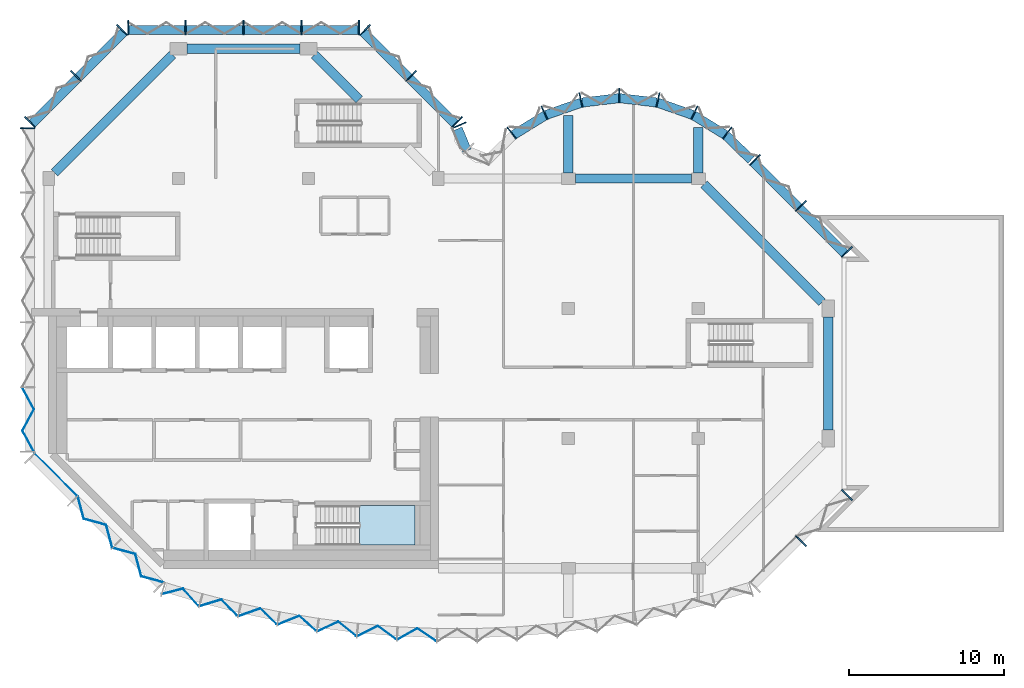
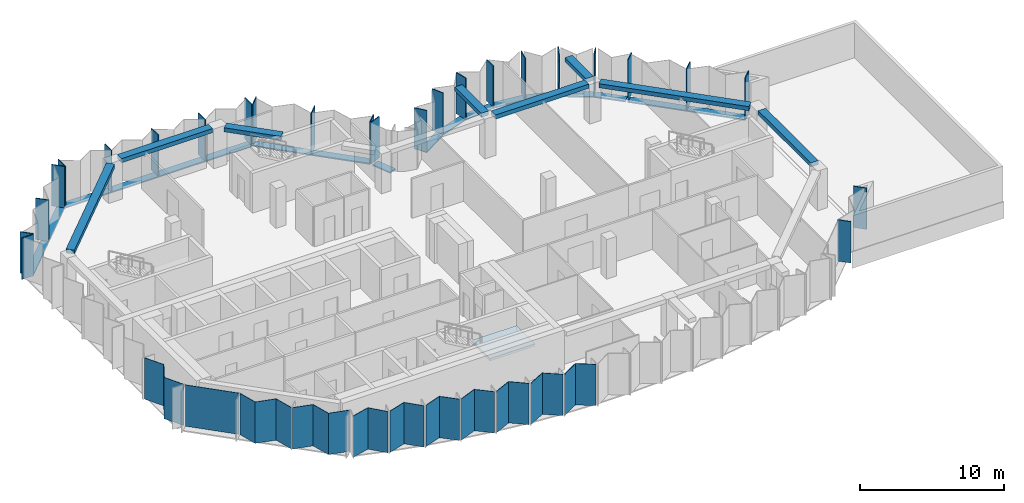
# One storey, part 2 of 9: 37 members, 11 plates, 8 beams, 1 slab, 11 elements without a shape of their own.
"""IFC4 building model written with IfcOpenShell, lengths in metres."""

import ifcopenshell
import ifcopenshell.guid

model = None  # the IFC model being written
_history = None  # IfcOwnerHistory: only IFC2X3 demands one
_inside = {}  # id of a spatial element -> (the spatial element, [elements in it])
_under = {}  # id of a project, library or spatial element -> (it, [spatial elements below it])
_declared = {}  # id of a project -> (the project, [libraries it declares])
_typed = {}  # id of a type object -> (the type object, [elements of that type])
_made_of = {}  # id of a material, layer set ... -> (it, [elements and type objects made of it])


def new_model(schema):
    """Start an empty IFC model of exactly this schema.

    Asked for "IFC4X3", IfcOpenShell would pick the latest addendum, in which some entities
    have other attributes; the version numbers below select the first issue.
    IFC2X3 requires an IfcOwnerHistory on every rooted entity: one is made here for all.
    """
    global model, _history
    if schema == "IFC4X3":
        model = ifcopenshell.file(schema_version=(4, 3, 0, 0))
    else:
        model = ifcopenshell.file(schema=schema)
    _inside.clear()
    _under.clear()
    _declared.clear()
    _typed.clear()
    _made_of.clear()
    _history = None
    if model.schema == "IFC2X3":
        org = make("IfcOrganization", Name="unknown")
        user = make(
            "IfcPersonAndOrganization",
            ThePerson=make("IfcPerson", FamilyName="unknown"),
            TheOrganization=org,
        )
        app = make(
            "IfcApplication",
            ApplicationDeveloper=org,
            Version="unknown",
            ApplicationFullName="unknown",
            ApplicationIdentifier="unknown",
        )
        _history = make(
            "IfcOwnerHistory",
            OwningUser=user,
            OwningApplication=app,
            ChangeAction="ADDED",
            CreationDate=0,
        )
    return model


def make(cls, **values):
    """One entity of the class cls with the attributes given. An attribute that is None is left unset."""
    return model.create_entity(
        cls, **{name: value for name, value in values.items() if value is not None}
    )


def rooted(cls, **values):
    """An entity with a GlobalId (a new one), such as an element, a storey or a relation."""
    return make(cls, GlobalId=ifcopenshell.guid.new(), OwnerHistory=_history, **values)


def si_unit(unit_type, name, prefix=None):
    """IfcSIUnit, for example si_unit("LENGTHUNIT", "METRE", prefix="MILLI")."""
    return make("IfcSIUnit", UnitType=unit_type, Prefix=prefix, Name=name)


def assignment(units):
    """IfcUnitAssignment: the units of a project."""
    return None if units is None else make("IfcUnitAssignment", Units=units)


def point(xyz):
    """IfcCartesianPoint."""
    return None if xyz is None else make("IfcCartesianPoint", Coordinates=xyz)


def direction(xyz):
    """IfcDirection."""
    return None if xyz is None else make("IfcDirection", DirectionRatios=xyz)


def frame(location, z_axis=None, x_axis=None):
    """IfcAxis2Placement3D, a coordinate frame: its origin and axes. An axis left out is left unset."""
    return make(
        "IfcAxis2Placement3D",
        Location=point(location),
        Axis=direction(z_axis),
        RefDirection=direction(x_axis),
    )


def frame_2d(location, x_axis=None):
    """IfcAxis2Placement2D, a coordinate frame in the plane: its origin and x axis."""
    return make(
        "IfcAxis2Placement2D", Location=point(location), RefDirection=direction(x_axis)
    )


def origin():
    """The frame at (0, 0, 0) with its axes left unset."""
    return frame((0.0, 0.0, 0.0))


def origin_2d():
    """The frame at (0, 0) in the plane with its x axis left unset."""
    return frame_2d((0.0, 0.0))


def place(relative_to, where):
    """IfcLocalPlacement: puts the frame where relative to a parent placement (None: the world)."""
    return make(
        "IfcLocalPlacement", PlacementRelTo=relative_to, RelativePlacement=where
    )


def context(
    kind, dimensions, precision=None, world=None, true_north=None, identifier=None
):
    """IfcGeometricRepresentationContext, for example the 3D "Model" context."""
    return make(
        "IfcGeometricRepresentationContext",
        ContextIdentifier=identifier,
        ContextType=kind,
        CoordinateSpaceDimension=dimensions,
        Precision=precision,
        WorldCoordinateSystem=world,
        TrueNorth=true_north,
    )


def subcontext(parent, identifier, kind, view, scale=None):
    """IfcGeometricRepresentationSubContext, for example "Body" below "Model"."""
    return make(
        "IfcGeometricRepresentationSubContext",
        ContextIdentifier=identifier,
        ContextType=kind,
        ParentContext=parent,
        TargetScale=scale,
        TargetView=view,
    )


def project(units=None, contexts=None):
    """IfcProject with its units and contexts."""
    return rooted(
        "IfcProject",
        Name="project",
        RepresentationContexts=contexts,
        UnitsInContext=assignment(units),
    )


def spatial(cls, under=None, at=None, **own):
    """A site, building, storey or space (cls), placed at a placement, below another one or the project."""
    s = rooted(cls, ObjectPlacement=at, **own)
    if under is not None:
        _under.setdefault(under.id(), (under, []))[1].append(s)
    return s


def polyline(points):
    """IfcPolyline through the points."""
    return make("IfcPolyline", Points=[point(p) for p in points])


def profile(cls, at=None, kind="AREA", **sizes):
    """A parametric profile (cls). Its sizes go by their IFC names, for example OverallWidth=200.0."""
    return make(cls, ProfileType=kind, Position=at, **sizes)


def rectangle(**sizes):
    """IfcRectangleProfileDef."""
    return profile("IfcRectangleProfileDef", **sizes)


def outline(outer, holes=None, kind="AREA"):
    """IfcArbitraryClosedProfileDef: a profile drawn as a closed curve; with holes, ...WithVoids."""
    if holes is None:
        return make("IfcArbitraryClosedProfileDef", ProfileType=kind, OuterCurve=outer)
    return make(
        "IfcArbitraryProfileDefWithVoids",
        ProfileType=kind,
        OuterCurve=outer,
        InnerCurves=holes,
    )


def extrude(swept, where, along, depth):
    """IfcExtrudedAreaSolid: the profile swept, set in the frame where, extruded along a direction by depth."""
    return make(
        "IfcExtrudedAreaSolid",
        SweptArea=swept,
        Position=where,
        ExtrudedDirection=direction(along),
        Depth=depth,
    )


def shape(context_of_items, identifier, shape_type, items):
    """IfcShapeRepresentation: the items that make up one representation, for example the "Body"."""
    return make(
        "IfcShapeRepresentation",
        ContextOfItems=context_of_items,
        RepresentationIdentifier=identifier,
        RepresentationType=shape_type,
        Items=items,
    )


def material(Name=None, Category=None):
    """IfcMaterial."""
    return make("IfcMaterial", Name=Name, Category=Category)


def layer(
    of_material, thickness, ventilated=None, Name=None, Category=None, Priority=None
):
    """IfcMaterialLayer: one layer of a wall or slab, of a material (None: an air gap)."""
    return make(
        "IfcMaterialLayer",
        Material=of_material,
        LayerThickness=thickness,
        IsVentilated=ventilated,
        Name=Name,
        Category=Category,
        Priority=Priority,
    )


def layer_set(layers, Name=None):
    """IfcMaterialLayerSet."""
    return make("IfcMaterialLayerSet", MaterialLayers=layers, LayerSetName=Name)


def material_profile(
    of_material, cross_section, Name=None, Category=None, Priority=None
):
    """IfcMaterialProfile: a cross section and its material."""
    return make(
        "IfcMaterialProfile",
        Name=Name,
        Material=of_material,
        Profile=cross_section,
        Priority=Priority,
        Category=Category,
    )


def profile_set(profiles, Name=None, composite=None):
    """IfcMaterialProfileSet."""
    return make(
        "IfcMaterialProfileSet",
        Name=Name,
        MaterialProfiles=profiles,
        CompositeProfile=composite,
    )


def made_of(thing, what):
    """Note that an element or type object is made of a material, layer set ...; save() writes the relation."""
    if what is not None:
        _made_of.setdefault(what.id(), (what, []))[1].append(thing)
    return thing


def type_object(cls, material=None, **own):
    """A type object (cls), such as IfcWallType, which elements share."""
    return made_of(rooted(cls, **own), material)


def element(
    cls,
    number,
    at=None,
    inside=None,
    cuts=None,
    type_object=None,
    material=None,
    context=None,
    identifier="Body",
    shape_type=None,
    held_by="IfcProductDefinitionShape",
    body=None,
    shapes=None,
    **own,
):
    """One element of the class cls, such as IfcWall. Its Tag is "e" and its number.

    at: its placement. inside: the storey or other place that contains it. cuts: it is an
    opening in that element (IfcRelVoidsElement). A single representation is given by context,
    identifier, shape_type and body (its items); several are given by shapes. held_by: the class
    of the entity that holds the representations. save() writes the other relations.
    """
    e = rooted(cls, Tag="e%d" % number, ObjectPlacement=at, **own)
    if body is not None:
        shapes = [shape(context, identifier, shape_type, body)]
    if shapes is not None:
        e.Representation = make(held_by, Representations=shapes)
    if inside is not None:
        _inside.setdefault(inside.id(), (inside, []))[1].append(e)
    if cuts is not None:
        rooted(
            "IfcRelVoidsElement", RelatingBuildingElement=cuts, RelatedOpeningElement=e
        )
    if type_object is not None:
        _typed.setdefault(type_object.id(), (type_object, []))[1].append(e)
    return made_of(e, material)


def aggregate(whole, parts):
    """IfcRelAggregates: a whole, such as a stair, and the parts it consists of."""
    return rooted("IfcRelAggregates", RelatingObject=whole, RelatedObjects=parts)


def save(model, path):
    """Write the relations noted so far, then the file.

    IfcRelAggregates (storeys below a building ...), IfcRelContainedInSpatialStructure (elements
    in a storey), IfcRelDefinesByType, IfcRelAssociatesMaterial and IfcRelDeclares: one each for
    every whole, place, type object, material and project.
    """
    for whole, parts in _under.values():
        aggregate(whole, parts)
    for where, things in _inside.values():
        rooted(
            "IfcRelContainedInSpatialStructure",
            RelatedElements=things,
            RelatingStructure=where,
        )
    for kind, things in _typed.values():
        rooted("IfcRelDefinesByType", RelatedObjects=things, RelatingType=kind)
    for what, things in _made_of.values():
        rooted("IfcRelAssociatesMaterial", RelatedObjects=things, RelatingMaterial=what)
    for by, libraries in _declared.values():
        rooted("IfcRelDeclares", RelatingContext=by, RelatedDefinitions=libraries)
    model.write(path)


model = new_model("IFC4")

# Units and contexts
model_context = context("Model", 3, precision=1e-05, world=origin(), true_north=direction((0.0, 1.0)))
body_context = subcontext(model_context, "Body", "Model", "MODEL_VIEW")
ifc_project = project(units=[si_unit("LENGTHUNIT", "METRE"), si_unit("AREAUNIT", "SQUARE_METRE"), si_unit("VOLUMEUNIT", "CUBIC_METRE"), si_unit("PLANEANGLEUNIT", "RADIAN"), si_unit("MASSUNIT", "GRAM", prefix="KILO")], contexts=[model_context])

# Site, building, storey
site_placement = place(None, origin())
site = spatial("IfcSite", under=ifc_project, at=site_placement, CompositionType="ELEMENT")
building_placement = place(site_placement, origin())
building = spatial("IfcBuilding", under=site, at=building_placement, Name="Brevane Broadcast Tower", CompositionType="ELEMENT")
storey_placement = place(building_placement, frame((0.0, 0.0, 222.89990234375)))
storey = spatial("IfcBuildingStorey", under=building, at=storey_placement, Name="L56", CompositionType="ELEMENT", Elevation=222.89990234375)

# Curtain wall, members
ifc_material_1 = material(Name="Aluminium 6063-T6 bronze anodised", Category="aluminium")
curtain_wall_type = type_object("IfcCurtainWallType", Name="CW-1 curtain wall", PredefinedType="NOTDEFINED", material=ifc_material_1)
curtain_wall_1_placement = place(storey_placement, origin())
curtain_wall_1 = element("IfcCurtainWall", 1, at=curtain_wall_1_placement, inside=storey, type_object=curtain_wall_type, Name="CW-1 typical tilted unit L56 south-east chamfer", PredefinedType="NOTDEFINED")
ifc_material_profile_1 = material_profile(ifc_material_1, rectangle(XDim=0.949951171875, YDim=0.070068359375, at=origin_2d()), Name="RECT 70x950")
ifc_profile_set_1 = profile_set([ifc_material_profile_1], Name="Aluminium 6063-T6 bronze anodised")
member_type_1 = type_object("IfcMemberType", Name="CW-1 mullion 70x950", PredefinedType="MULLION", material=ifc_profile_set_1)
member_1_placement = place(storey_placement, frame((48.635986328125, 1.76416015625, -0.14990234375), z_axis=(0.0, 0.0, 1.0), x_axis=(-0.707106781187, 0.707106781187, 0.0)))
member_1 = element("IfcMember", 2, at=member_1_placement, type_object=member_type_1, Name="CW-1 mullion", PredefinedType="MULLION", context=body_context, shape_type="SweptSolid", body=[
    extrude(rectangle(XDim=0.949951171875, YDim=0.070068359375, at=origin_2d()), origin(), (0.0, 0.0, 1.0), 3.5),
])
member_2_placement = place(storey_placement, frame((51.611083984375, 4.7392578125, -0.14990234375), z_axis=(0.0, 0.0, 1.0), x_axis=(-0.707106781187, 0.707106781187, 0.0)))
member_2 = element("IfcMember", 3, at=member_2_placement, type_object=member_type_1, Name="CW-1 mullion", PredefinedType="MULLION", context=body_context, shape_type="SweptSolid", body=[
    extrude(rectangle(XDim=0.949951171875, YDim=0.070068359375, at=origin_2d()), origin(), (0.0, 0.0, 1.0), 3.5),
])
aggregate(curtain_wall_1, [member_1, member_2])

curtain_wall_2_placement = place(storey_placement, origin())
curtain_wall_2 = element("IfcCurtainWall", 4, at=curtain_wall_2_placement, inside=storey, type_object=curtain_wall_type, Name="CW-1 typical tilted unit L56 north-east chamfer", PredefinedType="NOTDEFINED")
member_3_placement = place(storey_placement, frame((51.611083984375, 20.460693359375, -0.14990234375), z_axis=(0.0, 0.0, 1.0), x_axis=(-0.707106781187, -0.707106781187, 0.0)))
member_3 = element("IfcMember", 5, at=member_3_placement, type_object=member_type_1, Name="CW-1 mullion", PredefinedType="MULLION", context=body_context, shape_type="SweptSolid", body=[
    extrude(rectangle(XDim=0.949951171875, YDim=0.070068359375, at=origin_2d()), origin(), (0.0, 0.0, 1.0), 3.5),
])
member_4_placement = place(storey_placement, frame((48.635986328125, 23.435791015625, -0.14990234375), z_axis=(0.0, 0.0, 1.0), x_axis=(-0.707106781187, -0.707106781187, 0.0)))
member_4 = element("IfcMember", 6, at=member_4_placement, type_object=member_type_1, Name="CW-1 mullion", PredefinedType="MULLION", context=body_context, shape_type="SweptSolid", body=[
    extrude(rectangle(XDim=0.949951171875, YDim=0.070068359375, at=origin_2d()), origin(), (0.0, 0.0, 1.0), 3.5),
])
member_5_placement = place(storey_placement, frame((45.66064453125, 26.4111328125, -0.14990234375), z_axis=(0.0, 0.0, 1.0), x_axis=(-0.707106781187, -0.707106781187, 0.0)))
member_5 = element("IfcMember", 7, at=member_5_placement, type_object=member_type_1, Name="CW-1 mullion", PredefinedType="MULLION", context=body_context, shape_type="SweptSolid", body=[
    extrude(rectangle(XDim=0.949951171875, YDim=0.070068359375, at=origin_2d()), origin(), (0.0, 0.0, 1.0), 3.5),
])

curtain_wall_3_placement = place(storey_placement, origin())
curtain_wall_3 = element("IfcCurtainWall", 8, at=curtain_wall_3_placement, inside=storey, type_object=curtain_wall_type, Name="CW-1 typical tilted unit L56 east bow", PredefinedType="NOTDEFINED")
member_6_placement = place(storey_placement, frame((43.8720703125, 28.1455078125, -0.14990234375), z_axis=(0.0, 0.0, 1.0), x_axis=(-0.614769698862, -0.788706673841, 0.0)))
member_6 = element("IfcMember", 9, at=member_6_placement, type_object=member_type_1, Name="CW-1 mullion", PredefinedType="MULLION", context=body_context, shape_type="SweptSolid", body=[
    extrude(rectangle(XDim=0.949951171875, YDim=0.070068359375, at=origin_2d()), origin(), (0.0, 0.0, 1.0), 3.5),
])
member_7_placement = place(storey_placement, frame((41.746826171875, 29.4580078125, -0.14990234375), z_axis=(0.0, 0.0, 1.0), x_axis=(-0.429933580394, -0.902860518823, 0.0)))
member_7 = element("IfcMember", 10, at=member_7_placement, type_object=member_type_1, Name="CW-1 mullion", PredefinedType="MULLION", context=body_context, shape_type="SweptSolid", body=[
    extrude(rectangle(XDim=0.949951171875, YDim=0.070068359375, at=origin_2d()), origin(), (0.0, 0.0, 1.0), 3.5),
])
member_8_placement = place(storey_placement, frame((39.38818359375, 30.28076171875, -0.14990234375), z_axis=(0.0, 0.0, 1.0), x_axis=(-0.224806535479, -0.974403418306, 0.0)))
member_8 = element("IfcMember", 11, at=member_8_placement, type_object=member_type_1, Name="CW-1 mullion", PredefinedType="MULLION", context=body_context, shape_type="SweptSolid", body=[
    extrude(rectangle(XDim=0.949951171875, YDim=0.070068359375, at=origin_2d()), origin(), (0.0, 0.0, 1.0), 3.5),
])
member_9_placement = place(storey_placement, frame((36.89990234375, 30.574951171875, -0.14990234375), z_axis=(0.0, 0.0, 1.0), x_axis=(0.0, -1.0, 0.0)))
member_9 = element("IfcMember", 12, at=member_9_placement, type_object=member_type_1, Name="CW-1 mullion", PredefinedType="MULLION", context=body_context, shape_type="SweptSolid", body=[
    extrude(rectangle(XDim=0.949951171875, YDim=0.070068359375, at=origin_2d()), origin(), (0.0, 0.0, 1.0), 3.5),
])
member_10_placement = place(storey_placement, frame((34.411865234375, 30.28076171875, -0.14990234375), z_axis=(0.0, 0.0, 1.0), x_axis=(0.224806535479, -0.974403418306, 0.0)))
member_10 = element("IfcMember", 13, at=member_10_placement, type_object=member_type_1, Name="CW-1 mullion", PredefinedType="MULLION", context=body_context, shape_type="SweptSolid", body=[
    extrude(rectangle(XDim=0.949951171875, YDim=0.070068359375, at=origin_2d()), origin(), (0.0, 0.0, 1.0), 3.5),
])
member_11_placement = place(storey_placement, frame((32.05322265625, 29.4580078125, -0.14990234375), z_axis=(0.0, 0.0, 1.0), x_axis=(0.429933580394, -0.902860518823, 0.0)))
member_11 = element("IfcMember", 14, at=member_11_placement, type_object=member_type_1, Name="CW-1 mullion", PredefinedType="MULLION", context=body_context, shape_type="SweptSolid", body=[
    extrude(rectangle(XDim=0.949951171875, YDim=0.070068359375, at=origin_2d()), origin(), (0.0, 0.0, 1.0), 3.5),
])
member_12_placement = place(storey_placement, frame((29.927978515625, 28.1455078125, -0.14990234375), z_axis=(0.0, 0.0, 1.0), x_axis=(0.614769698862, -0.788706673841, 0.0)))
member_12 = element("IfcMember", 15, at=member_12_placement, type_object=member_type_1, Name="CW-1 mullion", PredefinedType="MULLION", context=body_context, shape_type="SweptSolid", body=[
    extrude(rectangle(XDim=0.949951171875, YDim=0.070068359375, at=origin_2d()), origin(), (0.0, 0.0, 1.0), 3.5),
])

# Curtain wall, member
curtain_wall_4_placement = place(storey_placement, origin())
curtain_wall_4 = element("IfcCurtainWall", 16, at=curtain_wall_4_placement, inside=storey, type_object=curtain_wall_type, Name="CW-1 typical tilted unit L56 inner corner", PredefinedType="NOTDEFINED")
member_13_placement = place(storey_placement, frame((26.55224609375, 28.6494140625, -0.14990234375), z_axis=(0.0, 0.0, 1.0), x_axis=(-0.923879532511, -0.382683432365, 0.0)))
member_13 = element("IfcMember", 17, at=member_13_placement, type_object=member_type_1, Name="CW-1 mullion", PredefinedType="MULLION", context=body_context, shape_type="SweptSolid", body=[
    extrude(rectangle(XDim=0.949951171875, YDim=0.070068359375, at=origin_2d()), origin(), (0.0, 0.0, 1.0), 3.5),
])

# Curtain wall, members
curtain_wall_5_placement = place(storey_placement, origin())
curtain_wall_5 = element("IfcCurtainWall", 18, at=curtain_wall_5_placement, inside=storey, type_object=curtain_wall_type, Name="CW-1 typical tilted unit L56 north arm north-east chamfer", PredefinedType="NOTDEFINED")
member_14_placement = place(storey_placement, frame((26.4111328125, 28.860595703125, -0.14990234375), z_axis=(0.0, 0.0, 1.0), x_axis=(-0.707106781187, -0.707106781187, 0.0)))
member_14 = element("IfcMember", 19, at=member_14_placement, type_object=member_type_1, Name="CW-1 mullion", PredefinedType="MULLION", context=body_context, shape_type="SweptSolid", body=[
    extrude(rectangle(XDim=0.949951171875, YDim=0.070068359375, at=origin_2d()), origin(), (0.0, 0.0, 1.0), 3.5),
])
member_15_placement = place(storey_placement, frame((23.435791015625, 31.8359375, -0.14990234375), z_axis=(0.0, 0.0, 1.0), x_axis=(-0.707106781187, -0.707106781187, 0.0)))
member_15 = element("IfcMember", 20, at=member_15_placement, type_object=member_type_1, Name="CW-1 mullion", PredefinedType="MULLION", context=body_context, shape_type="SweptSolid", body=[
    extrude(rectangle(XDim=0.949951171875, YDim=0.070068359375, at=origin_2d()), origin(), (0.0, 0.0, 1.0), 3.5),
])
member_16_placement = place(storey_placement, frame((20.460693359375, 34.81103515625, -0.14990234375), z_axis=(0.0, 0.0, 1.0), x_axis=(-0.707106781187, -0.707106781187, 0.0)))
member_16 = element("IfcMember", 21, at=member_16_placement, type_object=member_type_1, Name="CW-1 mullion", PredefinedType="MULLION", context=body_context, shape_type="SweptSolid", body=[
    extrude(rectangle(XDim=0.949951171875, YDim=0.070068359375, at=origin_2d()), origin(), (0.0, 0.0, 1.0), 3.5),
])

curtain_wall_6_placement = place(storey_placement, origin())
curtain_wall_6 = element("IfcCurtainWall", 22, at=curtain_wall_6_placement, inside=storey, type_object=curtain_wall_type, Name="CW-1 typical tilted unit L56 north end", PredefinedType="NOTDEFINED")
member_17_placement = place(storey_placement, frame((20.06494140625, 34.97509765625, -0.14990234375), z_axis=(0.0, 0.0, 1.0), x_axis=(0.0, -1.0, 0.0)))
member_17 = element("IfcMember", 23, at=member_17_placement, type_object=member_type_1, Name="CW-1 mullion", PredefinedType="MULLION", context=body_context, shape_type="SweptSolid", body=[
    extrude(rectangle(XDim=0.949951171875, YDim=0.070068359375, at=origin_2d()), origin(), (0.0, 0.0, 1.0), 3.5),
])
member_18_placement = place(storey_placement, frame((16.35009765625, 34.97509765625, -0.14990234375), z_axis=(0.0, 0.0, 1.0), x_axis=(0.0, -1.0, 0.0)))
member_18 = element("IfcMember", 24, at=member_18_placement, type_object=member_type_1, Name="CW-1 mullion", PredefinedType="MULLION", context=body_context, shape_type="SweptSolid", body=[
    extrude(rectangle(XDim=0.949951171875, YDim=0.070068359375, at=origin_2d()), origin(), (0.0, 0.0, 1.0), 3.5),
])
member_19_placement = place(storey_placement, frame((12.60009765625, 34.97509765625, -0.14990234375), z_axis=(0.0, 0.0, 1.0), x_axis=(0.0, -1.0, 0.0)))
member_19 = element("IfcMember", 25, at=member_19_placement, type_object=member_type_1, Name="CW-1 mullion", PredefinedType="MULLION", context=body_context, shape_type="SweptSolid", body=[
    extrude(rectangle(XDim=0.949951171875, YDim=0.070068359375, at=origin_2d()), origin(), (0.0, 0.0, 1.0), 3.5),
])
member_20_placement = place(storey_placement, frame((8.85009765625, 34.97509765625, -0.14990234375), z_axis=(0.0, 0.0, 1.0), x_axis=(0.0, -1.0, 0.0)))
member_20 = element("IfcMember", 26, at=member_20_placement, type_object=member_type_1, Name="CW-1 mullion", PredefinedType="MULLION", context=body_context, shape_type="SweptSolid", body=[
    extrude(rectangle(XDim=0.949951171875, YDim=0.070068359375, at=origin_2d()), origin(), (0.0, 0.0, 1.0), 3.5),
])
member_21_placement = place(storey_placement, frame((5.135009765625, 34.97509765625, -0.14990234375), z_axis=(0.0, 0.0, 1.0), x_axis=(0.0, -1.0, 0.0)))
member_21 = element("IfcMember", 27, at=member_21_placement, type_object=member_type_1, Name="CW-1 mullion", PredefinedType="MULLION", context=body_context, shape_type="SweptSolid", body=[
    extrude(rectangle(XDim=0.949951171875, YDim=0.070068359375, at=origin_2d()), origin(), (0.0, 0.0, 1.0), 3.5),
])

curtain_wall_7_placement = place(storey_placement, origin())
curtain_wall_7 = element("IfcCurtainWall", 28, at=curtain_wall_7_placement, inside=storey, type_object=curtain_wall_type, Name="CW-1 typical tilted unit L56 north-west chamfer", PredefinedType="NOTDEFINED")
member_22_placement = place(storey_placement, frame((4.7392578125, 34.81103515625, -0.14990234375), z_axis=(0.0, 0.0, 1.0), x_axis=(0.707106781187, -0.707106781187, 0.0)))
member_22 = element("IfcMember", 29, at=member_22_placement, type_object=member_type_1, Name="CW-1 mullion", PredefinedType="MULLION", context=body_context, shape_type="SweptSolid", body=[
    extrude(rectangle(XDim=0.949951171875, YDim=0.070068359375, at=origin_2d()), origin(), (0.0, 0.0, 1.0), 3.5),
])
member_23_placement = place(storey_placement, frame((1.76416015625, 31.8359375, -0.14990234375), z_axis=(0.0, 0.0, 1.0), x_axis=(0.707106781187, -0.707106781187, 0.0)))
member_23 = element("IfcMember", 30, at=member_23_placement, type_object=member_type_1, Name="CW-1 mullion", PredefinedType="MULLION", context=body_context, shape_type="SweptSolid", body=[
    extrude(rectangle(XDim=0.949951171875, YDim=0.070068359375, at=origin_2d()), origin(), (0.0, 0.0, 1.0), 3.5),
])
member_24_placement = place(storey_placement, frame((-1.211181640625, 28.860595703125, -0.14990234375), z_axis=(0.0, 0.0, 1.0), x_axis=(0.707106781187, -0.707106781187, 0.0)))
member_24 = element("IfcMember", 31, at=member_24_placement, type_object=member_type_1, Name="CW-1 mullion", PredefinedType="MULLION", context=body_context, shape_type="SweptSolid", body=[
    extrude(rectangle(XDim=0.949951171875, YDim=0.070068359375, at=origin_2d()), origin(), (0.0, 0.0, 1.0), 3.5),
])

# Curtain wall, member
curtain_wall_8_placement = place(storey_placement, origin())
curtain_wall_8 = element("IfcCurtainWall", 32, at=curtain_wall_8_placement, inside=storey, type_object=curtain_wall_type, Name="CW-1 typical tilted unit L56 west face", PredefinedType="NOTDEFINED")
member_25_placement = place(storey_placement, frame((-1.375, 28.465087890625, -0.14990234375), z_axis=(0.0, 0.0, 1.0), x_axis=(1.0, 0.0, 0.0)))
member_25 = element("IfcMember", 33, at=member_25_placement, type_object=member_type_1, Name="CW-1 mullion", PredefinedType="MULLION", context=body_context, shape_type="SweptSolid", body=[
    extrude(rectangle(XDim=0.949951171875, YDim=0.070068359375, at=origin_2d()), origin(), (0.0, 0.0, 1.0), 3.5),
])

# Member
ifc_material_profile_2 = material_profile(ifc_material_1, rectangle(XDim=0.60009765625, YDim=0.10009765625, at=origin_2d()), Name="RECT 100x600")
ifc_profile_set_2 = profile_set([ifc_material_profile_2], Name="Aluminium 6063-T6 bronze anodised")
member_type_2 = type_object("IfcMemberType", Name="CW-1 transom 100x600", PredefinedType="USERDEFINED", material=ifc_profile_set_2)
member_26_placement = place(storey_placement, frame((51.51220703125, 20.31201171875, -0.199951171875), z_axis=(-0.707106781187, 0.707106781187, 0.0), x_axis=(-0.707106781187, -0.707106781187, 0.0)))
member_26 = element("IfcMember", 34, at=member_26_placement, type_object=member_type_2, Name="CW-1 transom", ObjectType="TRANSOM", PredefinedType="USERDEFINED", context=body_context, shape_type="SweptSolid", body=[
    extrude(rectangle(XDim=0.60009765625, YDim=0.10009765625, at=origin_2d()), origin(), (0.0, 0.0, 1.0), 8.4853515625),
])

aggregate(curtain_wall_2, [member_3, member_4, member_5, member_26])

member_27_placement = place(storey_placement, frame((45.412841796875, 26.407958984375, -0.199951171875), z_axis=(-0.71724215871, 0.696823999134, 0.0), x_axis=(-0.696823999134, -0.71724215871, 0.0)))
member_27 = element("IfcMember", 35, at=member_27_placement, type_object=member_type_2, Name="CW-1 transom", ObjectType="TRANSOM", PredefinedType="USERDEFINED", context=body_context, shape_type="SweptSolid", body=[
    extrude(rectangle(XDim=0.60009765625, YDim=0.10009765625, at=origin_2d()), origin(), (0.0, 0.0, 1.0), 2.247802734375),
])

member_28_placement = place(storey_placement, frame((43.7421875, 28.023193359375, -0.199951171875), z_axis=(-0.850810063131, 0.525473345162, 0.0), x_axis=(-0.525473345162, -0.850810063131, 0.0)))
member_28 = element("IfcMember", 36, at=member_28_placement, type_object=member_type_2, Name="CW-1 transom", ObjectType="TRANSOM", PredefinedType="USERDEFINED", context=body_context, shape_type="SweptSolid", body=[
    extrude(rectangle(XDim=0.60009765625, YDim=0.10009765625, at=origin_2d()), origin(), (0.0, 0.0, 1.0), 2.39453125),
])

member_29_placement = place(storey_placement, frame((41.63623046875, 29.314208984375, -0.199951171875), z_axis=(-0.944197969542, 0.329378497041, 0.0), x_axis=(-0.329378497041, -0.944197969542, 0.0)))
member_29 = element("IfcMember", 37, at=member_29_placement, type_object=member_type_2, Name="CW-1 transom", ObjectType="TRANSOM", PredefinedType="USERDEFINED", context=body_context, shape_type="SweptSolid", body=[
    extrude(rectangle(XDim=0.60009765625, YDim=0.10009765625, at=origin_2d()), origin(), (0.0, 0.0, 1.0), 2.394775390625),
])

member_30_placement = place(storey_placement, frame((39.30029296875, 30.117431640625, -0.199951171875), z_axis=(-0.993062061831, 0.117591417, 0.0), x_axis=(-0.117591417, -0.993062061831, 0.0)))
member_30 = element("IfcMember", 38, at=member_30_placement, type_object=member_type_2, Name="CW-1 transom", ObjectType="TRANSOM", PredefinedType="USERDEFINED", context=body_context, shape_type="SweptSolid", body=[
    extrude(rectangle(XDim=0.60009765625, YDim=0.10009765625, at=origin_2d()), origin(), (0.0, 0.0, 1.0), 2.39794921875),
])

member_31_placement = place(storey_placement, frame((36.880859375, 30.3994140625, -0.199951171875), z_axis=(-0.993060653805, -0.117603307202, 0.0), x_axis=(0.117603307202, -0.993060653805, 0.0)))
member_31 = element("IfcMember", 39, at=member_31_placement, type_object=member_type_2, Name="CW-1 transom", ObjectType="TRANSOM", PredefinedType="USERDEFINED", context=body_context, shape_type="SweptSolid", body=[
    extrude(rectangle(XDim=0.60009765625, YDim=0.10009765625, at=origin_2d()), origin(), (0.0, 0.0, 1.0), 2.397705078125),
])

member_32_placement = place(storey_placement, frame((34.425048828125, 30.10302734375, -0.199951171875), z_axis=(-0.944197969542, -0.329378497041, 0.0), x_axis=(0.329378497041, -0.944197969542, 0.0)))
member_32 = element("IfcMember", 40, at=member_32_placement, type_object=member_type_2, Name="CW-1 transom", ObjectType="TRANSOM", PredefinedType="USERDEFINED", context=body_context, shape_type="SweptSolid", body=[
    extrude(rectangle(XDim=0.60009765625, YDim=0.10009765625, at=origin_2d()), origin(), (0.0, 0.0, 1.0), 2.394775390625),
])

member_33_placement = place(storey_placement, frame((32.09521484375, 29.281494140625, -0.199951171875), z_axis=(-0.850838211365, -0.525427766759, 0.0), x_axis=(0.525427766759, -0.850838211365, 0.0)))
member_33 = element("IfcMember", 41, at=member_33_placement, type_object=member_type_2, Name="CW-1 transom", ObjectType="TRANSOM", PredefinedType="USERDEFINED", context=body_context, shape_type="SweptSolid", body=[
    extrude(rectangle(XDim=0.60009765625, YDim=0.10009765625, at=origin_2d()), origin(), (0.0, 0.0, 1.0), 2.394775390625),
])

aggregate(curtain_wall_3, [member_6, member_7, member_8, member_9, member_10, member_11, member_12, member_27, member_28, member_29, member_30, member_31, member_32, member_33])

member_34_placement = place(storey_placement, frame((27.039794921875, 27.0, -0.199951171875), z_axis=(-0.382674472816, 0.923883243627, 0.0), x_axis=(-0.923883243627, -0.382674472816, 0.0)))
member_34 = element("IfcMember", 42, at=member_34_placement, type_object=member_type_2, Name="CW-1 transom", ObjectType="TRANSOM", PredefinedType="USERDEFINED", context=body_context, shape_type="SweptSolid", body=[
    extrude(rectangle(XDim=0.60009765625, YDim=0.10009765625, at=origin_2d()), origin(), (0.0, 0.0, 1.0), 1.536865234375),
])

aggregate(curtain_wall_4, [member_13, member_34])

member_35_placement = place(storey_placement, frame((26.31201171875, 28.712158203125, -0.199951171875), z_axis=(-0.707106781187, 0.707106781187, 0.0), x_axis=(-0.707106781187, -0.707106781187, 0.0)))
member_35 = element("IfcMember", 43, at=member_35_placement, type_object=member_type_2, Name="CW-1 transom", ObjectType="TRANSOM", PredefinedType="USERDEFINED", context=body_context, shape_type="SweptSolid", body=[
    extrude(rectangle(XDim=0.60009765625, YDim=0.10009765625, at=origin_2d()), origin(), (0.0, 0.0, 1.0), 8.4853515625),
])

aggregate(curtain_wall_5, [member_14, member_15, member_16, member_35])

member_36_placement = place(storey_placement, frame((20.10009765625, 34.800048828125, -0.199951171875), z_axis=(-1.0, 0.0, 0.0), x_axis=(0.0, -1.0, 0.0)))
member_36 = element("IfcMember", 44, at=member_36_placement, type_object=member_type_2, Name="CW-1 transom", ObjectType="TRANSOM", PredefinedType="USERDEFINED", context=body_context, shape_type="SweptSolid", body=[
    extrude(rectangle(XDim=0.60009765625, YDim=0.10009765625, at=origin_2d()), origin(), (0.0, 0.0, 1.0), 15.0),
])

aggregate(curtain_wall_6, [member_17, member_18, member_19, member_20, member_21, member_36])

member_37_placement = place(storey_placement, frame((4.887939453125, 34.712158203125, -0.199951171875), z_axis=(-0.707106781187, -0.707106781187, 0.0), x_axis=(0.707106781187, -0.707106781187, 0.0)))
member_37 = element("IfcMember", 45, at=member_37_placement, type_object=member_type_2, Name="CW-1 transom", ObjectType="TRANSOM", PredefinedType="USERDEFINED", context=body_context, shape_type="SweptSolid", body=[
    extrude(rectangle(XDim=0.60009765625, YDim=0.10009765625, at=origin_2d()), origin(), (0.0, 0.0, 1.0), 8.4853515625),
])

aggregate(curtain_wall_7, [member_22, member_23, member_24, member_37])

# Beams
ifc_material_2 = material(Name="Concrete C40/50", Category="concrete")
ifc_material_profile_3 = material_profile(ifc_material_2, rectangle(XDim=0.60009765625, YDim=0.35009765625, at=origin_2d()), Name="RC 600x350")
ifc_profile_set_3 = profile_set([ifc_material_profile_3], Name="Concrete C40/50")
beam_type_1 = type_object("IfcBeamType", Name="RC BRACKET BEAM 600x350 C40/50", PredefinedType="BEAM", material=ifc_profile_set_3)
beam_1_placement = place(storey_placement, frame((33.60009765625, 25.574951171875, 3.175048828125), z_axis=(0.0, 1.0, 0.0), x_axis=(-1.0, 0.0, 0.0)))
element("IfcBeam", 46, at=beam_1_placement, inside=storey, type_object=beam_type_1, Name="EB2 L56-2", PredefinedType="BEAM", context=body_context, shape_type="SweptSolid", body=[
    extrude(rectangle(XDim=0.60009765625, YDim=0.35009765625, at=origin_2d()), origin(), (0.0, 0.0, 1.0), 3.68701171875),
])
beam_2_placement = place(storey_placement, frame((42.0, 25.574951171875, 3.175048828125), z_axis=(0.0, 1.0, 0.0), x_axis=(-1.0, 0.0, 0.0)))
element("IfcBeam", 47, at=beam_2_placement, inside=storey, type_object=beam_type_1, Name="EB2 L56-4", PredefinedType="BEAM", context=body_context, shape_type="SweptSolid", body=[
    extrude(rectangle(XDim=0.60009765625, YDim=0.35009765625, at=origin_2d()), origin(), (0.0, 0.0, 1.0), 2.9365234375),
])
ifc_material_profile_4 = material_profile(ifc_material_2, rectangle(XDim=0.60009765625, YDim=0.35009765625, at=origin_2d()), Name="RC 600x350")
ifc_profile_set_4 = profile_set([ifc_material_profile_4], Name="Concrete C40/50")
beam_type_2 = type_object("IfcBeamType", Name="RC SPANDREL BEAM 600x350 C40/50", PredefinedType="SPANDREL", material=ifc_profile_set_4)
beam_3_placement = place(storey_placement, frame((50.39990234375, 8.949951171875, 3.175048828125), z_axis=(0.0, 1.0, 0.0), x_axis=(-1.0, 0.0, 0.0)))
element("IfcBeam", 48, at=beam_3_placement, inside=storey, type_object=beam_type_2, Name="EB1 L56-4", PredefinedType="SPANDREL", context=body_context, shape_type="SweptSolid", body=[
    extrude(rectangle(XDim=0.60009765625, YDim=0.35009765625, at=origin_2d()), origin(), (0.0, 0.0, 1.0), 7.300048828125),
])
beam_4_placement = place(storey_placement, frame((50.0, 17.199951171875, 3.175048828125), z_axis=(-0.707106781187, 0.707106781187, 0.0), x_axis=(-0.707106781187, -0.707106781187, 0.0)))
element("IfcBeam", 49, at=beam_4_placement, inside=storey, type_object=beam_type_2, Name="EB1 L56-5", PredefinedType="SPANDREL", context=body_context, shape_type="SweptSolid", body=[
    extrude(rectangle(XDim=0.60009765625, YDim=0.35009765625, at=origin_2d()), origin(), (0.0, 0.0, 1.0), 10.783447265625),
])
beam_5_placement = place(storey_placement, frame((41.550048828125, 25.199951171875, 3.175048828125), z_axis=(-1.0, 0.0, 0.0), x_axis=(0.0, -1.0, 0.0)))
element("IfcBeam", 50, at=beam_5_placement, inside=storey, type_object=beam_type_2, Name="EB1 L56-6", PredefinedType="SPANDREL", context=body_context, shape_type="SweptSolid", body=[
    extrude(rectangle(XDim=0.60009765625, YDim=0.35009765625, at=origin_2d()), origin(), (0.0, 0.0, 1.0), 7.5),
])
beam_6_placement = place(storey_placement, frame((20.080078125, 30.320068359375, 3.175048828125), z_axis=(-0.707136751593, 0.70707680951, 0.0), x_axis=(-0.70707680951, -0.707136751593, 0.0)))
element("IfcBeam", 51, at=beam_6_placement, inside=storey, type_object=beam_type_2, Name="EB1 L56-12", PredefinedType="SPANDREL", context=body_context, shape_type="SweptSolid", body=[
    extrude(rectangle(XDim=0.60009765625, YDim=0.35009765625, at=origin_2d()), origin(), (0.0, 0.0, 1.0), 4.072998046875),
])
beam_7_placement = place(storey_placement, frame((16.25, 33.60009765625, 3.175048828125), z_axis=(-1.0, 0.0, 0.0), x_axis=(0.0, -1.0, 0.0)))
element("IfcBeam", 52, at=beam_7_placement, inside=storey, type_object=beam_type_2, Name="EB1 L56-9", PredefinedType="SPANDREL", context=body_context, shape_type="SweptSolid", body=[
    extrude(rectangle(XDim=0.60009765625, YDim=0.35009765625, at=origin_2d()), origin(), (0.0, 0.0, 1.0), 7.300048828125),
])
beam_8_placement = place(storey_placement, frame((8.0, 33.199951171875, 3.175048828125), z_axis=(-0.707106781187, -0.707106781187, 0.0), x_axis=(0.707106781187, -0.707106781187, 0.0)))
element("IfcBeam", 53, at=beam_8_placement, inside=storey, type_object=beam_type_2, Name="EB1 L56-10", PredefinedType="SPANDREL", context=body_context, shape_type="SweptSolid", body=[
    extrude(rectangle(XDim=0.60009765625, YDim=0.35009765625, at=origin_2d()), origin(), (0.0, 0.0, 1.0), 10.783447265625),
])

# Curtain wall, plates
curtain_wall_9_placement = place(storey_placement, origin())
curtain_wall_9 = element("IfcCurtainWall", 54, at=curtain_wall_9_placement, inside=storey, type_object=curtain_wall_type, Name="CW-1 typical tilted unit L56 south bow", PredefinedType="NOTDEFINED")
ifc_material_3 = material(Name="Laminated glass bronze-tinted", Category="glass")
ifc_layer_1 = layer(ifc_material_3, 0.0400390625)
ifc_layer_set_1 = layer_set([ifc_layer_1], Name="CW tall glass panel 40")
plate_type = type_object("IfcPlateType", Name="CW tall glass panel 40", PredefinedType="CURTAIN_PANEL", material=ifc_layer_set_1)
plate_1_placement = place(storey_placement, frame((0.0, 0.0, -0.14990234375)))
plate_1 = element("IfcPlate", 55, at=plate_1_placement, type_object=plate_type, Name="CW-1 glass panel", PredefinedType="CURTAIN_PANEL", context=body_context, shape_type="SweptSolid", body=[
    extrude(outline(polyline([(7.312255859375, -1.643310546875), (7.298583984375, -1.68798828125), (8.68603515625, -1.334716796875), (9.65771484375, -2.421875), (9.670654296875, -2.376220703125), (8.69970703125, -1.289794921875), (7.312255859375, -1.643310546875)])), origin(), (0.0, 0.0, 1.0), 3.5),
])
plate_2_placement = place(storey_placement, frame((0.0, 0.0, -0.14990234375)))
plate_2 = element("IfcPlate", 56, at=plate_2_placement, type_object=plate_type, Name="CW-1 glass panel", PredefinedType="CURTAIN_PANEL", context=body_context, shape_type="SweptSolid", body=[
    extrude(outline(polyline([(9.81494140625, -2.407470703125), (9.80224609375, -2.453369140625), (11.174560546875, -2.030029296875), (12.17236328125, -3.069580078125), (12.18310546875, -3.023193359375), (11.186279296875, -1.984619140625), (9.81494140625, -2.407470703125)])), origin(), (0.0, 0.0, 1.0), 3.5),
])
plate_3_placement = place(storey_placement, frame((0.0, 0.0, -0.14990234375)))
plate_3 = element("IfcPlate", 57, at=plate_3_placement, type_object=plate_type, Name="CW-1 glass panel", PredefinedType="CURTAIN_PANEL", context=body_context, shape_type="SweptSolid", body=[
    extrude(outline(polyline([(12.328125, -3.051513671875), (12.317138671875, -3.09765625), (13.67138671875, -2.615966796875), (14.711669921875, -3.611328125), (14.720458984375, -3.564453125), (13.68115234375, -2.570068359375), (12.328125, -3.051513671875)])), origin(), (0.0, 0.0, 1.0), 3.5),
])
plate_4_placement = place(storey_placement, frame((0.0, 0.0, -0.14990234375)))
plate_4 = element("IfcPlate", 58, at=plate_4_placement, type_object=plate_type, Name="CW-1 glass panel", PredefinedType="CURTAIN_PANEL", context=body_context, shape_type="SweptSolid", body=[
    extrude(outline(polyline([(14.865966796875, -3.58984375), (14.85693359375, -3.63671875), (16.190185546875, -3.09716796875), (17.271240234375, -4.04638671875), (17.2783203125, -3.99951171875), (16.197998046875, -3.05078125), (14.865966796875, -3.58984375)])), origin(), (0.0, 0.0, 1.0), 3.5),
])
plate_5_placement = place(storey_placement, frame((0.0, 0.0, -0.14990234375)))
plate_5 = element("IfcPlate", 59, at=plate_5_placement, type_object=plate_type, Name="CW-1 glass panel", PredefinedType="CURTAIN_PANEL", context=body_context, shape_type="SweptSolid", body=[
    extrude(outline(polyline([(17.424072265625, -4.021728515625), (17.4169921875, -4.06884765625), (18.72705078125, -3.47265625), (19.8466796875, -4.37451171875), (19.851806640625, -4.3271484375), (18.73291015625, -3.426025390625), (17.424072265625, -4.021728515625)])), origin(), (0.0, 0.0, 1.0), 3.5),
])
plate_6_placement = place(storey_placement, frame((0.0, 0.0, -0.14990234375)))
plate_6 = element("IfcPlate", 60, at=plate_6_placement, type_object=plate_type, Name="CW-1 glass panel", PredefinedType="CURTAIN_PANEL", context=body_context, shape_type="SweptSolid", body=[
    extrude(outline(polyline([(19.998046875, -4.3466796875), (19.992919921875, -4.39404296875), (21.27734375, -3.741943359375), (22.43359375, -4.594482421875), (22.4365234375, -4.547119140625), (21.28125, -3.695068359375), (19.998046875, -4.3466796875)])), origin(), (0.0, 0.0, 1.0), 3.5),
])
plate_7_placement = place(storey_placement, frame((0.0, 0.0, -0.14990234375)))
plate_7 = element("IfcPlate", 61, at=plate_7_placement, type_object=plate_type, Name="CW-1 glass panel", PredefinedType="CURTAIN_PANEL", context=body_context, shape_type="SweptSolid", body=[
    extrude(outline(polyline([(22.58349609375, -4.563720703125), (22.580322265625, -4.611083984375), (23.836669921875, -3.904541015625), (25.02783203125, -4.706787109375), (25.02880859375, -4.6591796875), (23.83837890625, -3.857666015625), (22.58349609375, -4.563720703125)])), origin(), (0.0, 0.0, 1.0), 3.5),
])
aggregate(curtain_wall_9, [plate_1, plate_2, plate_3, plate_4, plate_5, plate_6, plate_7])

# Plate
plate_8_placement = place(storey_placement, frame((0.0, 0.0, -0.14990234375)))
plate_8 = element("IfcPlate", 62, at=plate_8_placement, type_object=plate_type, Name="CW-1 glass panel", PredefinedType="CURTAIN_PANEL", context=body_context, shape_type="SweptSolid", body=[
    extrude(outline(polyline([(-1.671630859375, 11.6650390625), (-1.717041015625, 11.6650390625), (-0.97265625, 10.288330078125), (-1.717041015625, 8.91162109375), (-0.97265625, 7.534912109375), (-0.92724609375, 7.534912109375), (-1.671630859375, 8.91162109375), (-0.92724609375, 10.288330078125), (-1.671630859375, 11.6650390625)])), origin(), (0.0, 0.0, 1.0), 3.5),
])

aggregate(curtain_wall_8, [member_25, plate_8])

# Curtain wall, plates
curtain_wall_10_placement = place(storey_placement, origin())
curtain_wall_10 = element("IfcCurtainWall", 63, at=curtain_wall_10_placement, inside=storey, type_object=curtain_wall_type, Name="CW-1 typical tilted unit L56 south-west chamfer", PredefinedType="NOTDEFINED")
plate_9_placement = place(storey_placement, frame((0.0, 0.0, -0.14990234375)))
plate_9 = element("IfcPlate", 64, at=plate_9_placement, type_object=plate_type, Name="CW-1 glass panel", PredefinedType="CURTAIN_PANEL", context=body_context, shape_type="SweptSolid", body=[
    extrude(outline(polyline([(-0.896484375, 7.4541015625), (1.85400390625, 4.70361328125), (1.82568359375, 4.67529296875), (-0.9248046875, 7.42578125), (-0.896484375, 7.4541015625)])), origin(), (0.0, 0.0, 1.0), 3.5),
])
plate_10_placement = place(storey_placement, frame((0.0, 0.0, -0.14990234375)))
plate_10 = element("IfcPlate", 65, at=plate_10_placement, type_object=plate_type, Name="CW-1 glass panel", PredefinedType="CURTAIN_PANEL", context=body_context, shape_type="SweptSolid", body=[
    extrude(outline(polyline([(1.90576171875, 4.65625), (1.873046875, 4.62353515625), (2.263671875, 3.180419921875), (3.706787109375, 2.789794921875), (4.09716796875, 1.3466796875), (4.1298828125, 1.37939453125), (3.739501953125, 2.822509765625), (2.296142578125, 3.212890625), (1.90576171875, 4.65625)])), origin(), (0.0, 0.0, 1.0), 3.5),
])
plate_11_placement = place(storey_placement, frame((0.0, 0.0, -0.14990234375)))
plate_11 = element("IfcPlate", 66, at=plate_11_placement, type_object=plate_type, Name="CW-1 glass panel", PredefinedType="CURTAIN_PANEL", context=body_context, shape_type="SweptSolid", body=[
    extrude(outline(polyline([(4.17919921875, 1.329833984375), (4.146728515625, 1.297119140625), (5.58984375, 0.90673828125), (5.98046875, -0.536376953125), (7.423583984375, -0.927001953125), (7.456298828125, -0.894287109375), (6.012939453125, -0.50390625), (5.62255859375, 0.939453125), (4.17919921875, 1.329833984375)])), origin(), (0.0, 0.0, 1.0), 3.5),
])
aggregate(curtain_wall_10, [plate_9, plate_10, plate_11])

# Stair, slab
ifc_material_4 = material(Name="Concrete C50/60", Category="concrete")
stair_type = type_object("IfcStairType", Name="Exit stair 22 risers", PredefinedType="HALF_TURN_STAIR", material=ifc_material_4)
stair_placement = place(storey_placement, origin())
stair = element("IfcStair", 67, at=stair_placement, inside=storey, type_object=stair_type, Name="L56 Exit stair ST-2", PredefinedType="HALF_TURN_STAIR")
ifc_layer_2 = layer(ifc_material_4, 0.199951171875)
ifc_layer_set_2 = layer_set([ifc_layer_2], Name="Exit stair landing")
slab_type = type_object("IfcSlabType", Name="Exit stair landing", PredefinedType="LANDING", material=ifc_layer_set_2)
slab_placement = place(storey_placement, frame((0.0, 0.0, 1.60009765625)))
slab = element("IfcSlab", 68, at=slab_placement, type_object=slab_type, Name="ST-2 landing 1", PredefinedType="LANDING", context=body_context, shape_type="SweptSolid", body=[
    extrude(outline(polyline([(20.10009765625, 1.5), (23.699951171875, 1.5), (23.699951171875, 4.050048828125), (20.10009765625, 4.050048828125), (20.10009765625, 1.5)])), origin(), (0.0, 0.0, 1.0), 0.199951171875),
])
aggregate(stair, [slab])

save(model, "model.ifc")
